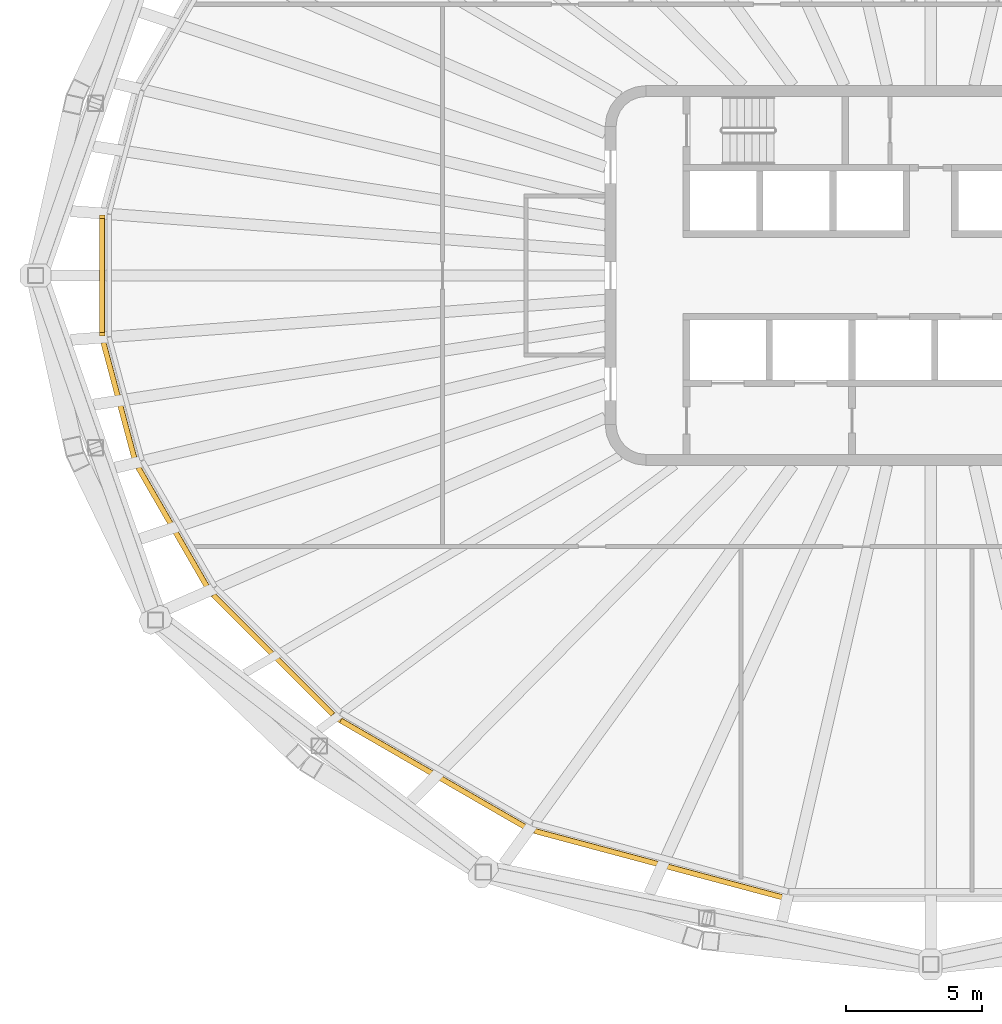
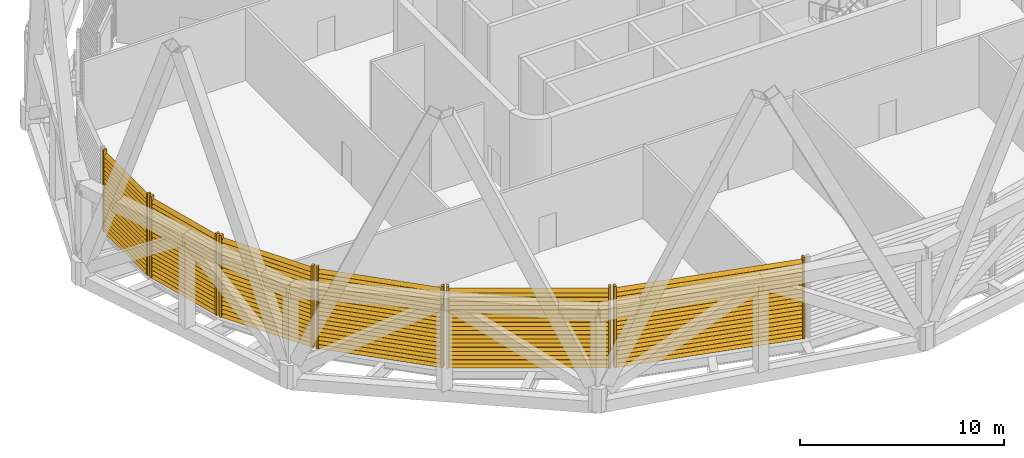
# One storey, part 11 of 17: 6 shading devices.
"""IFC4 building model written with IfcOpenShell, lengths in metres."""

from ifc_helpers import new_model, si_unit, direction, frame, origin, origin_2d, place, context, subcontext, project, spatial, rectangle, extrude, material, type_object, element, save


model = new_model("IFC4")

# Units and contexts
model_context = context("Model", 3, precision=1e-05, world=origin(), true_north=direction((0.0, 1.0)))
body_context = subcontext(model_context, "Body", "Model", "MODEL_VIEW")
ifc_project = project(units=[si_unit("LENGTHUNIT", "METRE"), si_unit("AREAUNIT", "SQUARE_METRE"), si_unit("VOLUMEUNIT", "CUBIC_METRE"), si_unit("PLANEANGLEUNIT", "RADIAN"), si_unit("MASSUNIT", "GRAM", prefix="KILO")], contexts=[model_context])

# Site, building, storey
site_placement = place(None, origin())
site = spatial("IfcSite", under=ifc_project, at=site_placement, CompositionType="ELEMENT")
building_placement = place(site_placement, origin())
building = spatial("IfcBuilding", under=site, at=building_placement, Name="Sahrelin Media Tower", CompositionType="ELEMENT")
storey_placement = place(building_placement, frame((0.0, 0.0, 249.60009765625)))
storey = spatial("IfcBuildingStorey", under=building, at=storey_placement, Name="L54", CompositionType="ELEMENT", Elevation=249.60009765625)

# Shading devices
ifc_material = material(Name="Champagne anodised aluminium 6063-T6", Category="aluminium")
shading_device_type = type_object("IfcShadingDeviceType", Name="Sand-rejection louvre band", PredefinedType="USERDEFINED", material=ifc_material)
shading_device_1_placement = place(storey_placement, frame((-30.442626953125, 0.0, 0.0), z_axis=(0.0, 0.0, 1.0), x_axis=(0.0, 1.0, 0.0)))
element("IfcShadingDevice", 1, at=shading_device_1_placement, inside=storey, type_object=shading_device_type, Name="L54:LOUVRE:L54-12", ObjectType="LOUVRE", PredefinedType="USERDEFINED", context=body_context, shape_type="SweptSolid", body=[
    extrude(rectangle(XDim=0.1201171875, YDim=0.199951171875, at=origin_2d()), frame((2.16943359375, 0.10009765625, 0.050048828125), z_axis=(0.0, 0.0, 1.0), x_axis=(1.0, 0.0, 0.0)), (0.0, 0.0, 1.0), 4.8984375),
    extrude(rectangle(XDim=0.1201171875, YDim=0.199951171875, at=origin_2d()), frame((-2.16943359375, 0.10009765625, 0.050048828125), z_axis=(0.0, 0.0, 1.0), x_axis=(1.0, 0.0, 0.0)), (0.0, 0.0, 1.0), 4.8984375),
    extrude(rectangle(XDim=0.25, YDim=0.02001953125, at=origin_2d()), frame((2.109375, 0.10009765625, 0.14990234375), z_axis=(-1.0, 0.0, 0.0), x_axis=(0.0, -0.766044443119, 0.642787609687)), (0.0, 0.0, 1.0), 4.21875),
    extrude(rectangle(XDim=0.25, YDim=0.02001953125, at=origin_2d()), frame((2.109375, 0.10009765625, 0.39990234375), z_axis=(-1.0, 0.0, 0.0), x_axis=(0.0, -0.766044443119, 0.642787609687)), (0.0, 0.0, 1.0), 4.21875),
    extrude(rectangle(XDim=0.25, YDim=0.02001953125, at=origin_2d()), frame((2.109375, 0.10009765625, 0.64990234375), z_axis=(-1.0, 0.0, 0.0), x_axis=(0.0, -0.766044443119, 0.642787609687)), (0.0, 0.0, 1.0), 4.21875),
    extrude(rectangle(XDim=0.25, YDim=0.02001953125, at=origin_2d()), frame((2.109375, 0.10009765625, 0.89990234375), z_axis=(-1.0, 0.0, 0.0), x_axis=(0.0, -0.766044443119, 0.642787609687)), (0.0, 0.0, 1.0), 4.21875),
    extrude(rectangle(XDim=0.25, YDim=0.02001953125, at=origin_2d()), frame((2.109375, 0.10009765625, 1.14990234375), z_axis=(-1.0, 0.0, 0.0), x_axis=(0.0, -0.766044443119, 0.642787609687)), (0.0, 0.0, 1.0), 4.21875),
    extrude(rectangle(XDim=0.25, YDim=0.02001953125, at=origin_2d()), frame((2.109375, 0.10009765625, 1.39990234375), z_axis=(-1.0, 0.0, 0.0), x_axis=(0.0, -0.766044443119, 0.642787609687)), (0.0, 0.0, 1.0), 4.21875),
    extrude(rectangle(XDim=0.25, YDim=0.02001953125, at=origin_2d()), frame((2.109375, 0.10009765625, 1.64990234375), z_axis=(-1.0, 0.0, 0.0), x_axis=(0.0, -0.766044443119, 0.642787609687)), (0.0, 0.0, 1.0), 4.21875),
    extrude(rectangle(XDim=0.25, YDim=0.02001953125, at=origin_2d()), frame((2.109375, 0.10009765625, 1.89990234375), z_axis=(-1.0, 0.0, 0.0), x_axis=(0.0, -0.766044443119, 0.642787609687)), (0.0, 0.0, 1.0), 4.21875),
    extrude(rectangle(XDim=0.25, YDim=0.02001953125, at=origin_2d()), frame((2.109375, 0.10009765625, 2.14990234375), z_axis=(-1.0, 0.0, 0.0), x_axis=(0.0, -0.766044443119, 0.642787609687)), (0.0, 0.0, 1.0), 4.21875),
    extrude(rectangle(XDim=0.25, YDim=0.02001953125, at=origin_2d()), frame((2.109375, 0.10009765625, 2.39990234375), z_axis=(-1.0, 0.0, 0.0), x_axis=(0.0, -0.766044443119, 0.642787609687)), (0.0, 0.0, 1.0), 4.21875),
    extrude(rectangle(XDim=0.25, YDim=0.02001953125, at=origin_2d()), frame((2.109375, 0.10009765625, 2.64990234375), z_axis=(-1.0, 0.0, 0.0), x_axis=(0.0, -0.766044443119, 0.642787609687)), (0.0, 0.0, 1.0), 4.21875),
    extrude(rectangle(XDim=0.25, YDim=0.02001953125, at=origin_2d()), frame((2.109375, 0.10009765625, 2.89990234375), z_axis=(-1.0, 0.0, 0.0), x_axis=(0.0, -0.766044443119, 0.642787609687)), (0.0, 0.0, 1.0), 4.21875),
    extrude(rectangle(XDim=0.25, YDim=0.02001953125, at=origin_2d()), frame((2.109375, 0.10009765625, 3.14990234375), z_axis=(-1.0, 0.0, 0.0), x_axis=(0.0, -0.766044443119, 0.642787609687)), (0.0, 0.0, 1.0), 4.21875),
    extrude(rectangle(XDim=0.25, YDim=0.02001953125, at=origin_2d()), frame((2.109375, 0.10009765625, 3.39990234375), z_axis=(-1.0, 0.0, 0.0), x_axis=(0.0, -0.766044443119, 0.642787609687)), (0.0, 0.0, 1.0), 4.21875),
    extrude(rectangle(XDim=0.25, YDim=0.02001953125, at=origin_2d()), frame((2.109375, 0.10009765625, 3.64990234375), z_axis=(-1.0, 0.0, 0.0), x_axis=(0.0, -0.766044443119, 0.642787609687)), (0.0, 0.0, 1.0), 4.21875),
    extrude(rectangle(XDim=0.25, YDim=0.02001953125, at=origin_2d()), frame((2.109375, 0.10009765625, 3.89990234375), z_axis=(-1.0, 0.0, 0.0), x_axis=(0.0, -0.766044443119, 0.642787609687)), (0.0, 0.0, 1.0), 4.21875),
    extrude(rectangle(XDim=0.25, YDim=0.02001953125, at=origin_2d()), frame((2.109375, 0.10009765625, 4.14990234375), z_axis=(-1.0, 0.0, 0.0), x_axis=(0.0, -0.766044443119, 0.642787609687)), (0.0, 0.0, 1.0), 4.21875),
    extrude(rectangle(XDim=0.25, YDim=0.02001953125, at=origin_2d()), frame((2.109375, 0.10009765625, 4.39990234375), z_axis=(-1.0, 0.0, 0.0), x_axis=(0.0, -0.766044443119, 0.642787609687)), (0.0, 0.0, 1.0), 4.21875),
    extrude(rectangle(XDim=0.25, YDim=0.02001953125, at=origin_2d()), frame((2.109375, 0.10009765625, 4.64990234375), z_axis=(-1.0, 0.0, 0.0), x_axis=(0.0, -0.766044443119, 0.642787609687)), (0.0, 0.0, 1.0), 4.21875),
])
shading_device_2_placement = place(storey_placement, frame((-29.82568359375, -4.581787109375, 0.0), z_axis=(0.0, 0.0, 1.0), x_axis=(-0.258807731996, 0.965928857556, 0.0)))
element("IfcShadingDevice", 2, at=shading_device_2_placement, inside=storey, type_object=shading_device_type, Name="L54:LOUVRE:L54-13", ObjectType="LOUVRE", PredefinedType="USERDEFINED", context=body_context, shape_type="SweptSolid", body=[
    extrude(rectangle(XDim=0.1201171875, YDim=0.199951171875, at=origin_2d()), frame((2.2734375, 0.10009765625, 0.050048828125), z_axis=(0.0, 0.0, 1.0), x_axis=(1.0, 0.0, 0.0)), (0.0, 0.0, 1.0), 4.8984375),
    extrude(rectangle(XDim=0.1201171875, YDim=0.199951171875, at=origin_2d()), frame((-2.2734375, 0.10009765625, 0.050048828125), z_axis=(0.0, 0.0, 1.0), x_axis=(1.0, 0.0, 0.0)), (0.0, 0.0, 1.0), 4.8984375),
    extrude(rectangle(XDim=0.25, YDim=0.02001953125, at=origin_2d()), frame((2.21337890625, 0.10009765625, 0.14990234375), z_axis=(-1.0, 0.0, 0.0), x_axis=(0.0, -0.766044443119, 0.642787609687)), (0.0, 0.0, 1.0), 4.4267578125),
    extrude(rectangle(XDim=0.25, YDim=0.02001953125, at=origin_2d()), frame((2.21337890625, 0.10009765625, 0.39990234375), z_axis=(-1.0, 0.0, 0.0), x_axis=(0.0, -0.766044443119, 0.642787609687)), (0.0, 0.0, 1.0), 4.4267578125),
    extrude(rectangle(XDim=0.25, YDim=0.02001953125, at=origin_2d()), frame((2.21337890625, 0.10009765625, 0.64990234375), z_axis=(-1.0, 0.0, 0.0), x_axis=(0.0, -0.766044443119, 0.642787609687)), (0.0, 0.0, 1.0), 4.4267578125),
    extrude(rectangle(XDim=0.25, YDim=0.02001953125, at=origin_2d()), frame((2.21337890625, 0.10009765625, 0.89990234375), z_axis=(-1.0, 0.0, 0.0), x_axis=(0.0, -0.766044443119, 0.642787609687)), (0.0, 0.0, 1.0), 4.4267578125),
    extrude(rectangle(XDim=0.25, YDim=0.02001953125, at=origin_2d()), frame((2.21337890625, 0.10009765625, 1.14990234375), z_axis=(-1.0, 0.0, 0.0), x_axis=(0.0, -0.766044443119, 0.642787609687)), (0.0, 0.0, 1.0), 4.4267578125),
    extrude(rectangle(XDim=0.25, YDim=0.02001953125, at=origin_2d()), frame((2.21337890625, 0.10009765625, 1.39990234375), z_axis=(-1.0, 0.0, 0.0), x_axis=(0.0, -0.766044443119, 0.642787609687)), (0.0, 0.0, 1.0), 4.4267578125),
    extrude(rectangle(XDim=0.25, YDim=0.02001953125, at=origin_2d()), frame((2.21337890625, 0.10009765625, 1.64990234375), z_axis=(-1.0, 0.0, 0.0), x_axis=(0.0, -0.766044443119, 0.642787609687)), (0.0, 0.0, 1.0), 4.4267578125),
    extrude(rectangle(XDim=0.25, YDim=0.02001953125, at=origin_2d()), frame((2.21337890625, 0.10009765625, 1.89990234375), z_axis=(-1.0, 0.0, 0.0), x_axis=(0.0, -0.766044443119, 0.642787609687)), (0.0, 0.0, 1.0), 4.4267578125),
    extrude(rectangle(XDim=0.25, YDim=0.02001953125, at=origin_2d()), frame((2.21337890625, 0.10009765625, 2.14990234375), z_axis=(-1.0, 0.0, 0.0), x_axis=(0.0, -0.766044443119, 0.642787609687)), (0.0, 0.0, 1.0), 4.4267578125),
    extrude(rectangle(XDim=0.25, YDim=0.02001953125, at=origin_2d()), frame((2.21337890625, 0.10009765625, 2.39990234375), z_axis=(-1.0, 0.0, 0.0), x_axis=(0.0, -0.766044443119, 0.642787609687)), (0.0, 0.0, 1.0), 4.4267578125),
    extrude(rectangle(XDim=0.25, YDim=0.02001953125, at=origin_2d()), frame((2.21337890625, 0.10009765625, 2.64990234375), z_axis=(-1.0, 0.0, 0.0), x_axis=(0.0, -0.766044443119, 0.642787609687)), (0.0, 0.0, 1.0), 4.4267578125),
    extrude(rectangle(XDim=0.25, YDim=0.02001953125, at=origin_2d()), frame((2.21337890625, 0.10009765625, 2.89990234375), z_axis=(-1.0, 0.0, 0.0), x_axis=(0.0, -0.766044443119, 0.642787609687)), (0.0, 0.0, 1.0), 4.4267578125),
    extrude(rectangle(XDim=0.25, YDim=0.02001953125, at=origin_2d()), frame((2.21337890625, 0.10009765625, 3.14990234375), z_axis=(-1.0, 0.0, 0.0), x_axis=(0.0, -0.766044443119, 0.642787609687)), (0.0, 0.0, 1.0), 4.4267578125),
    extrude(rectangle(XDim=0.25, YDim=0.02001953125, at=origin_2d()), frame((2.21337890625, 0.10009765625, 3.39990234375), z_axis=(-1.0, 0.0, 0.0), x_axis=(0.0, -0.766044443119, 0.642787609687)), (0.0, 0.0, 1.0), 4.4267578125),
    extrude(rectangle(XDim=0.25, YDim=0.02001953125, at=origin_2d()), frame((2.21337890625, 0.10009765625, 3.64990234375), z_axis=(-1.0, 0.0, 0.0), x_axis=(0.0, -0.766044443119, 0.642787609687)), (0.0, 0.0, 1.0), 4.4267578125),
    extrude(rectangle(XDim=0.25, YDim=0.02001953125, at=origin_2d()), frame((2.21337890625, 0.10009765625, 3.89990234375), z_axis=(-1.0, 0.0, 0.0), x_axis=(0.0, -0.766044443119, 0.642787609687)), (0.0, 0.0, 1.0), 4.4267578125),
    extrude(rectangle(XDim=0.25, YDim=0.02001953125, at=origin_2d()), frame((2.21337890625, 0.10009765625, 4.14990234375), z_axis=(-1.0, 0.0, 0.0), x_axis=(0.0, -0.766044443119, 0.642787609687)), (0.0, 0.0, 1.0), 4.4267578125),
    extrude(rectangle(XDim=0.25, YDim=0.02001953125, at=origin_2d()), frame((2.21337890625, 0.10009765625, 4.39990234375), z_axis=(-1.0, 0.0, 0.0), x_axis=(0.0, -0.766044443119, 0.642787609687)), (0.0, 0.0, 1.0), 4.4267578125),
    extrude(rectangle(XDim=0.25, YDim=0.02001953125, at=origin_2d()), frame((2.21337890625, 0.10009765625, 4.64990234375), z_axis=(-1.0, 0.0, 0.0), x_axis=(0.0, -0.766044443119, 0.642787609687)), (0.0, 0.0, 1.0), 4.4267578125),
])
shading_device_3_placement = place(storey_placement, frame((-27.853271484375, -9.231689453125, 0.0), z_axis=(0.0, 0.0, 1.0), x_axis=(-0.500011000363, 0.866019052629, 0.0)))
element("IfcShadingDevice", 3, at=shading_device_3_placement, inside=storey, type_object=shading_device_type, Name="L54:LOUVRE:L54-14", ObjectType="LOUVRE", PredefinedType="USERDEFINED", context=body_context, shape_type="SweptSolid", body=[
    extrude(rectangle(XDim=0.1201171875, YDim=0.199951171875, at=origin_2d()), frame((2.60107421875, 0.10009765625, 0.050048828125), z_axis=(0.0, 0.0, 1.0), x_axis=(1.0, 0.0, 0.0)), (0.0, 0.0, 1.0), 4.8984375),
    extrude(rectangle(XDim=0.1201171875, YDim=0.199951171875, at=origin_2d()), frame((-2.60107421875, 0.10009765625, 0.050048828125), z_axis=(0.0, 0.0, 1.0), x_axis=(1.0, 0.0, 0.0)), (0.0, 0.0, 1.0), 4.8984375),
    extrude(rectangle(XDim=0.25, YDim=0.02001953125, at=origin_2d()), frame((2.541015625, 0.10009765625, 0.14990234375), z_axis=(-1.0, 0.0, 0.0), x_axis=(0.0, -0.766044443119, 0.642787609687)), (0.0, 0.0, 1.0), 5.08203125),
    extrude(rectangle(XDim=0.25, YDim=0.02001953125, at=origin_2d()), frame((2.541015625, 0.10009765625, 0.39990234375), z_axis=(-1.0, 0.0, 0.0), x_axis=(0.0, -0.766044443119, 0.642787609687)), (0.0, 0.0, 1.0), 5.08203125),
    extrude(rectangle(XDim=0.25, YDim=0.02001953125, at=origin_2d()), frame((2.541015625, 0.10009765625, 0.64990234375), z_axis=(-1.0, 0.0, 0.0), x_axis=(0.0, -0.766044443119, 0.642787609687)), (0.0, 0.0, 1.0), 5.08203125),
    extrude(rectangle(XDim=0.25, YDim=0.02001953125, at=origin_2d()), frame((2.541015625, 0.10009765625, 0.89990234375), z_axis=(-1.0, 0.0, 0.0), x_axis=(0.0, -0.766044443119, 0.642787609687)), (0.0, 0.0, 1.0), 5.08203125),
    extrude(rectangle(XDim=0.25, YDim=0.02001953125, at=origin_2d()), frame((2.541015625, 0.10009765625, 1.14990234375), z_axis=(-1.0, 0.0, 0.0), x_axis=(0.0, -0.766044443119, 0.642787609687)), (0.0, 0.0, 1.0), 5.08203125),
    extrude(rectangle(XDim=0.25, YDim=0.02001953125, at=origin_2d()), frame((2.541015625, 0.10009765625, 1.39990234375), z_axis=(-1.0, 0.0, 0.0), x_axis=(0.0, -0.766044443119, 0.642787609687)), (0.0, 0.0, 1.0), 5.08203125),
    extrude(rectangle(XDim=0.25, YDim=0.02001953125, at=origin_2d()), frame((2.541015625, 0.10009765625, 1.64990234375), z_axis=(-1.0, 0.0, 0.0), x_axis=(0.0, -0.766044443119, 0.642787609687)), (0.0, 0.0, 1.0), 5.08203125),
    extrude(rectangle(XDim=0.25, YDim=0.02001953125, at=origin_2d()), frame((2.541015625, 0.10009765625, 1.89990234375), z_axis=(-1.0, 0.0, 0.0), x_axis=(0.0, -0.766044443119, 0.642787609687)), (0.0, 0.0, 1.0), 5.08203125),
    extrude(rectangle(XDim=0.25, YDim=0.02001953125, at=origin_2d()), frame((2.541015625, 0.10009765625, 2.14990234375), z_axis=(-1.0, 0.0, 0.0), x_axis=(0.0, -0.766044443119, 0.642787609687)), (0.0, 0.0, 1.0), 5.08203125),
    extrude(rectangle(XDim=0.25, YDim=0.02001953125, at=origin_2d()), frame((2.541015625, 0.10009765625, 2.39990234375), z_axis=(-1.0, 0.0, 0.0), x_axis=(0.0, -0.766044443119, 0.642787609687)), (0.0, 0.0, 1.0), 5.08203125),
    extrude(rectangle(XDim=0.25, YDim=0.02001953125, at=origin_2d()), frame((2.541015625, 0.10009765625, 2.64990234375), z_axis=(-1.0, 0.0, 0.0), x_axis=(0.0, -0.766044443119, 0.642787609687)), (0.0, 0.0, 1.0), 5.08203125),
    extrude(rectangle(XDim=0.25, YDim=0.02001953125, at=origin_2d()), frame((2.541015625, 0.10009765625, 2.89990234375), z_axis=(-1.0, 0.0, 0.0), x_axis=(0.0, -0.766044443119, 0.642787609687)), (0.0, 0.0, 1.0), 5.08203125),
    extrude(rectangle(XDim=0.25, YDim=0.02001953125, at=origin_2d()), frame((2.541015625, 0.10009765625, 3.14990234375), z_axis=(-1.0, 0.0, 0.0), x_axis=(0.0, -0.766044443119, 0.642787609687)), (0.0, 0.0, 1.0), 5.08203125),
    extrude(rectangle(XDim=0.25, YDim=0.02001953125, at=origin_2d()), frame((2.541015625, 0.10009765625, 3.39990234375), z_axis=(-1.0, 0.0, 0.0), x_axis=(0.0, -0.766044443119, 0.642787609687)), (0.0, 0.0, 1.0), 5.08203125),
    extrude(rectangle(XDim=0.25, YDim=0.02001953125, at=origin_2d()), frame((2.541015625, 0.10009765625, 3.64990234375), z_axis=(-1.0, 0.0, 0.0), x_axis=(0.0, -0.766044443119, 0.642787609687)), (0.0, 0.0, 1.0), 5.08203125),
    extrude(rectangle(XDim=0.25, YDim=0.02001953125, at=origin_2d()), frame((2.541015625, 0.10009765625, 3.89990234375), z_axis=(-1.0, 0.0, 0.0), x_axis=(0.0, -0.766044443119, 0.642787609687)), (0.0, 0.0, 1.0), 5.08203125),
    extrude(rectangle(XDim=0.25, YDim=0.02001953125, at=origin_2d()), frame((2.541015625, 0.10009765625, 4.14990234375), z_axis=(-1.0, 0.0, 0.0), x_axis=(0.0, -0.766044443119, 0.642787609687)), (0.0, 0.0, 1.0), 5.08203125),
    extrude(rectangle(XDim=0.25, YDim=0.02001953125, at=origin_2d()), frame((2.541015625, 0.10009765625, 4.39990234375), z_axis=(-1.0, 0.0, 0.0), x_axis=(0.0, -0.766044443119, 0.642787609687)), (0.0, 0.0, 1.0), 5.08203125),
    extrude(rectangle(XDim=0.25, YDim=0.02001953125, at=origin_2d()), frame((2.541015625, 0.10009765625, 4.64990234375), z_axis=(-1.0, 0.0, 0.0), x_axis=(0.0, -0.766044443119, 0.642787609687)), (0.0, 0.0, 1.0), 5.08203125),
])
shading_device_4_placement = place(storey_placement, frame((-24.17041015625, -13.90673828125, 0.0), z_axis=(0.0, 0.0, 1.0), x_axis=(-0.707106781187, 0.707106781187, 0.0)))
element("IfcShadingDevice", 4, at=shading_device_4_placement, inside=storey, type_object=shading_device_type, Name="L54:LOUVRE:L54-15", ObjectType="LOUVRE", PredefinedType="USERDEFINED", context=body_context, shape_type="SweptSolid", body=[
    extrude(rectangle(XDim=0.1201171875, YDim=0.199951171875, at=origin_2d()), frame((3.18115234375, 0.10009765625, 0.050048828125), z_axis=(0.0, 0.0, 1.0), x_axis=(1.0, 0.0, 0.0)), (0.0, 0.0, 1.0), 4.8984375),
    extrude(rectangle(XDim=0.1201171875, YDim=0.199951171875, at=origin_2d()), frame((-3.18115234375, 0.10009765625, 0.050048828125), z_axis=(0.0, 0.0, 1.0), x_axis=(1.0, 0.0, 0.0)), (0.0, 0.0, 1.0), 4.8984375),
    extrude(rectangle(XDim=0.25, YDim=0.02001953125, at=origin_2d()), frame((3.12109375, 0.10009765625, 0.14990234375), z_axis=(-1.0, 0.0, 0.0), x_axis=(0.0, -0.766044443119, 0.642787609687)), (0.0, 0.0, 1.0), 6.2421875),
    extrude(rectangle(XDim=0.25, YDim=0.02001953125, at=origin_2d()), frame((3.12109375, 0.10009765625, 0.39990234375), z_axis=(-1.0, 0.0, 0.0), x_axis=(0.0, -0.766044443119, 0.642787609687)), (0.0, 0.0, 1.0), 6.2421875),
    extrude(rectangle(XDim=0.25, YDim=0.02001953125, at=origin_2d()), frame((3.12109375, 0.10009765625, 0.64990234375), z_axis=(-1.0, 0.0, 0.0), x_axis=(0.0, -0.766044443119, 0.642787609687)), (0.0, 0.0, 1.0), 6.2421875),
    extrude(rectangle(XDim=0.25, YDim=0.02001953125, at=origin_2d()), frame((3.12109375, 0.10009765625, 0.89990234375), z_axis=(-1.0, 0.0, 0.0), x_axis=(0.0, -0.766044443119, 0.642787609687)), (0.0, 0.0, 1.0), 6.2421875),
    extrude(rectangle(XDim=0.25, YDim=0.02001953125, at=origin_2d()), frame((3.12109375, 0.10009765625, 1.14990234375), z_axis=(-1.0, 0.0, 0.0), x_axis=(0.0, -0.766044443119, 0.642787609687)), (0.0, 0.0, 1.0), 6.2421875),
    extrude(rectangle(XDim=0.25, YDim=0.02001953125, at=origin_2d()), frame((3.12109375, 0.10009765625, 1.39990234375), z_axis=(-1.0, 0.0, 0.0), x_axis=(0.0, -0.766044443119, 0.642787609687)), (0.0, 0.0, 1.0), 6.2421875),
    extrude(rectangle(XDim=0.25, YDim=0.02001953125, at=origin_2d()), frame((3.12109375, 0.10009765625, 1.64990234375), z_axis=(-1.0, 0.0, 0.0), x_axis=(0.0, -0.766044443119, 0.642787609687)), (0.0, 0.0, 1.0), 6.2421875),
    extrude(rectangle(XDim=0.25, YDim=0.02001953125, at=origin_2d()), frame((3.12109375, 0.10009765625, 1.89990234375), z_axis=(-1.0, 0.0, 0.0), x_axis=(0.0, -0.766044443119, 0.642787609687)), (0.0, 0.0, 1.0), 6.2421875),
    extrude(rectangle(XDim=0.25, YDim=0.02001953125, at=origin_2d()), frame((3.12109375, 0.10009765625, 2.14990234375), z_axis=(-1.0, 0.0, 0.0), x_axis=(0.0, -0.766044443119, 0.642787609687)), (0.0, 0.0, 1.0), 6.2421875),
    extrude(rectangle(XDim=0.25, YDim=0.02001953125, at=origin_2d()), frame((3.12109375, 0.10009765625, 2.39990234375), z_axis=(-1.0, 0.0, 0.0), x_axis=(0.0, -0.766044443119, 0.642787609687)), (0.0, 0.0, 1.0), 6.2421875),
    extrude(rectangle(XDim=0.25, YDim=0.02001953125, at=origin_2d()), frame((3.12109375, 0.10009765625, 2.64990234375), z_axis=(-1.0, 0.0, 0.0), x_axis=(0.0, -0.766044443119, 0.642787609687)), (0.0, 0.0, 1.0), 6.2421875),
    extrude(rectangle(XDim=0.25, YDim=0.02001953125, at=origin_2d()), frame((3.12109375, 0.10009765625, 2.89990234375), z_axis=(-1.0, 0.0, 0.0), x_axis=(0.0, -0.766044443119, 0.642787609687)), (0.0, 0.0, 1.0), 6.2421875),
    extrude(rectangle(XDim=0.25, YDim=0.02001953125, at=origin_2d()), frame((3.12109375, 0.10009765625, 3.14990234375), z_axis=(-1.0, 0.0, 0.0), x_axis=(0.0, -0.766044443119, 0.642787609687)), (0.0, 0.0, 1.0), 6.2421875),
    extrude(rectangle(XDim=0.25, YDim=0.02001953125, at=origin_2d()), frame((3.12109375, 0.10009765625, 3.39990234375), z_axis=(-1.0, 0.0, 0.0), x_axis=(0.0, -0.766044443119, 0.642787609687)), (0.0, 0.0, 1.0), 6.2421875),
    extrude(rectangle(XDim=0.25, YDim=0.02001953125, at=origin_2d()), frame((3.12109375, 0.10009765625, 3.64990234375), z_axis=(-1.0, 0.0, 0.0), x_axis=(0.0, -0.766044443119, 0.642787609687)), (0.0, 0.0, 1.0), 6.2421875),
    extrude(rectangle(XDim=0.25, YDim=0.02001953125, at=origin_2d()), frame((3.12109375, 0.10009765625, 3.89990234375), z_axis=(-1.0, 0.0, 0.0), x_axis=(0.0, -0.766044443119, 0.642787609687)), (0.0, 0.0, 1.0), 6.2421875),
    extrude(rectangle(XDim=0.25, YDim=0.02001953125, at=origin_2d()), frame((3.12109375, 0.10009765625, 4.14990234375), z_axis=(-1.0, 0.0, 0.0), x_axis=(0.0, -0.766044443119, 0.642787609687)), (0.0, 0.0, 1.0), 6.2421875),
    extrude(rectangle(XDim=0.25, YDim=0.02001953125, at=origin_2d()), frame((3.12109375, 0.10009765625, 4.39990234375), z_axis=(-1.0, 0.0, 0.0), x_axis=(0.0, -0.766044443119, 0.642787609687)), (0.0, 0.0, 1.0), 6.2421875),
    extrude(rectangle(XDim=0.25, YDim=0.02001953125, at=origin_2d()), frame((3.12109375, 0.10009765625, 4.64990234375), z_axis=(-1.0, 0.0, 0.0), x_axis=(0.0, -0.766044443119, 0.642787609687)), (0.0, 0.0, 1.0), 6.2421875),
])
shading_device_5_placement = place(storey_placement, frame((-18.294189453125, -18.283203125, 0.0), z_axis=(0.0, 0.0, 1.0), x_axis=(-0.866019052629, 0.500011000363, 0.0)))
element("IfcShadingDevice", 5, at=shading_device_5_placement, inside=storey, type_object=shading_device_type, Name="L54:LOUVRE:L54-16", ObjectType="LOUVRE", PredefinedType="USERDEFINED", context=body_context, shape_type="SweptSolid", body=[
    extrude(rectangle(XDim=0.1201171875, YDim=0.199951171875, at=origin_2d()), frame((3.988037109375, 0.10009765625, 0.050048828125), z_axis=(0.0, 0.0, 1.0), x_axis=(1.0, 0.0, 0.0)), (0.0, 0.0, 1.0), 4.8984375),
    extrude(rectangle(XDim=0.1201171875, YDim=0.199951171875, at=origin_2d()), frame((-3.988037109375, 0.10009765625, 0.050048828125), z_axis=(0.0, 0.0, 1.0), x_axis=(1.0, 0.0, 0.0)), (0.0, 0.0, 1.0), 4.8984375),
    extrude(rectangle(XDim=0.25, YDim=0.02001953125, at=origin_2d()), frame((3.927978515625, 0.10009765625, 0.14990234375), z_axis=(-1.0, 0.0, 0.0), x_axis=(0.0, -0.766044443119, 0.642787609687)), (0.0, 0.0, 1.0), 7.85595703125),
    extrude(rectangle(XDim=0.25, YDim=0.02001953125, at=origin_2d()), frame((3.927978515625, 0.10009765625, 0.39990234375), z_axis=(-1.0, 0.0, 0.0), x_axis=(0.0, -0.766044443119, 0.642787609687)), (0.0, 0.0, 1.0), 7.85595703125),
    extrude(rectangle(XDim=0.25, YDim=0.02001953125, at=origin_2d()), frame((3.927978515625, 0.10009765625, 0.64990234375), z_axis=(-1.0, 0.0, 0.0), x_axis=(0.0, -0.766044443119, 0.642787609687)), (0.0, 0.0, 1.0), 7.85595703125),
    extrude(rectangle(XDim=0.25, YDim=0.02001953125, at=origin_2d()), frame((3.927978515625, 0.10009765625, 0.89990234375), z_axis=(-1.0, 0.0, 0.0), x_axis=(0.0, -0.766044443119, 0.642787609687)), (0.0, 0.0, 1.0), 7.85595703125),
    extrude(rectangle(XDim=0.25, YDim=0.02001953125, at=origin_2d()), frame((3.927978515625, 0.10009765625, 1.14990234375), z_axis=(-1.0, 0.0, 0.0), x_axis=(0.0, -0.766044443119, 0.642787609687)), (0.0, 0.0, 1.0), 7.85595703125),
    extrude(rectangle(XDim=0.25, YDim=0.02001953125, at=origin_2d()), frame((3.927978515625, 0.10009765625, 1.39990234375), z_axis=(-1.0, 0.0, 0.0), x_axis=(0.0, -0.766044443119, 0.642787609687)), (0.0, 0.0, 1.0), 7.85595703125),
    extrude(rectangle(XDim=0.25, YDim=0.02001953125, at=origin_2d()), frame((3.927978515625, 0.10009765625, 1.64990234375), z_axis=(-1.0, 0.0, 0.0), x_axis=(0.0, -0.766044443119, 0.642787609687)), (0.0, 0.0, 1.0), 7.85595703125),
    extrude(rectangle(XDim=0.25, YDim=0.02001953125, at=origin_2d()), frame((3.927978515625, 0.10009765625, 1.89990234375), z_axis=(-1.0, 0.0, 0.0), x_axis=(0.0, -0.766044443119, 0.642787609687)), (0.0, 0.0, 1.0), 7.85595703125),
    extrude(rectangle(XDim=0.25, YDim=0.02001953125, at=origin_2d()), frame((3.927978515625, 0.10009765625, 2.14990234375), z_axis=(-1.0, 0.0, 0.0), x_axis=(0.0, -0.766044443119, 0.642787609687)), (0.0, 0.0, 1.0), 7.85595703125),
    extrude(rectangle(XDim=0.25, YDim=0.02001953125, at=origin_2d()), frame((3.927978515625, 0.10009765625, 2.39990234375), z_axis=(-1.0, 0.0, 0.0), x_axis=(0.0, -0.766044443119, 0.642787609687)), (0.0, 0.0, 1.0), 7.85595703125),
    extrude(rectangle(XDim=0.25, YDim=0.02001953125, at=origin_2d()), frame((3.927978515625, 0.10009765625, 2.64990234375), z_axis=(-1.0, 0.0, 0.0), x_axis=(0.0, -0.766044443119, 0.642787609687)), (0.0, 0.0, 1.0), 7.85595703125),
    extrude(rectangle(XDim=0.25, YDim=0.02001953125, at=origin_2d()), frame((3.927978515625, 0.10009765625, 2.89990234375), z_axis=(-1.0, 0.0, 0.0), x_axis=(0.0, -0.766044443119, 0.642787609687)), (0.0, 0.0, 1.0), 7.85595703125),
    extrude(rectangle(XDim=0.25, YDim=0.02001953125, at=origin_2d()), frame((3.927978515625, 0.10009765625, 3.14990234375), z_axis=(-1.0, 0.0, 0.0), x_axis=(0.0, -0.766044443119, 0.642787609687)), (0.0, 0.0, 1.0), 7.85595703125),
    extrude(rectangle(XDim=0.25, YDim=0.02001953125, at=origin_2d()), frame((3.927978515625, 0.10009765625, 3.39990234375), z_axis=(-1.0, 0.0, 0.0), x_axis=(0.0, -0.766044443119, 0.642787609687)), (0.0, 0.0, 1.0), 7.85595703125),
    extrude(rectangle(XDim=0.25, YDim=0.02001953125, at=origin_2d()), frame((3.927978515625, 0.10009765625, 3.64990234375), z_axis=(-1.0, 0.0, 0.0), x_axis=(0.0, -0.766044443119, 0.642787609687)), (0.0, 0.0, 1.0), 7.85595703125),
    extrude(rectangle(XDim=0.25, YDim=0.02001953125, at=origin_2d()), frame((3.927978515625, 0.10009765625, 3.89990234375), z_axis=(-1.0, 0.0, 0.0), x_axis=(0.0, -0.766044443119, 0.642787609687)), (0.0, 0.0, 1.0), 7.85595703125),
    extrude(rectangle(XDim=0.25, YDim=0.02001953125, at=origin_2d()), frame((3.927978515625, 0.10009765625, 4.14990234375), z_axis=(-1.0, 0.0, 0.0), x_axis=(0.0, -0.766044443119, 0.642787609687)), (0.0, 0.0, 1.0), 7.85595703125),
    extrude(rectangle(XDim=0.25, YDim=0.02001953125, at=origin_2d()), frame((3.927978515625, 0.10009765625, 4.39990234375), z_axis=(-1.0, 0.0, 0.0), x_axis=(0.0, -0.766044443119, 0.642787609687)), (0.0, 0.0, 1.0), 7.85595703125),
    extrude(rectangle(XDim=0.25, YDim=0.02001953125, at=origin_2d()), frame((3.927978515625, 0.10009765625, 4.64990234375), z_axis=(-1.0, 0.0, 0.0), x_axis=(0.0, -0.766044443119, 0.642787609687)), (0.0, 0.0, 1.0), 7.85595703125),
])
shading_device_6_placement = place(storey_placement, frame((-10.005615234375, -21.60205078125, 0.0), z_axis=(0.0, 0.0, 1.0), x_axis=(-0.965928857556, 0.258807731996, 0.0)))
element("IfcShadingDevice", 6, at=shading_device_6_placement, inside=storey, type_object=shading_device_type, Name="L54:LOUVRE:L54-17", ObjectType="LOUVRE", PredefinedType="USERDEFINED", context=body_context, shape_type="SweptSolid", body=[
    extrude(rectangle(XDim=0.1201171875, YDim=0.199951171875, at=origin_2d()), frame((4.796630859375, 0.10009765625, 0.050048828125), z_axis=(0.0, 0.0, 1.0), x_axis=(1.0, 0.0, 0.0)), (0.0, 0.0, 1.0), 4.8984375),
    extrude(rectangle(XDim=0.1201171875, YDim=0.199951171875, at=origin_2d()), frame((-4.796630859375, 0.10009765625, 0.050048828125), z_axis=(0.0, 0.0, 1.0), x_axis=(1.0, 0.0, 0.0)), (0.0, 0.0, 1.0), 4.8984375),
    extrude(rectangle(XDim=0.25, YDim=0.02001953125, at=origin_2d()), frame((4.73681640625, 0.10009765625, 0.14990234375), z_axis=(-1.0, 0.0, 0.0), x_axis=(0.0, -0.766044443119, 0.642787609687)), (0.0, 0.0, 1.0), 9.4736328125),
    extrude(rectangle(XDim=0.25, YDim=0.02001953125, at=origin_2d()), frame((4.73681640625, 0.10009765625, 0.39990234375), z_axis=(-1.0, 0.0, 0.0), x_axis=(0.0, -0.766044443119, 0.642787609687)), (0.0, 0.0, 1.0), 9.4736328125),
    extrude(rectangle(XDim=0.25, YDim=0.02001953125, at=origin_2d()), frame((4.73681640625, 0.10009765625, 0.64990234375), z_axis=(-1.0, 0.0, 0.0), x_axis=(0.0, -0.766044443119, 0.642787609687)), (0.0, 0.0, 1.0), 9.4736328125),
    extrude(rectangle(XDim=0.25, YDim=0.02001953125, at=origin_2d()), frame((4.73681640625, 0.10009765625, 0.89990234375), z_axis=(-1.0, 0.0, 0.0), x_axis=(0.0, -0.766044443119, 0.642787609687)), (0.0, 0.0, 1.0), 9.4736328125),
    extrude(rectangle(XDim=0.25, YDim=0.02001953125, at=origin_2d()), frame((4.73681640625, 0.10009765625, 1.14990234375), z_axis=(-1.0, 0.0, 0.0), x_axis=(0.0, -0.766044443119, 0.642787609687)), (0.0, 0.0, 1.0), 9.4736328125),
    extrude(rectangle(XDim=0.25, YDim=0.02001953125, at=origin_2d()), frame((4.73681640625, 0.10009765625, 1.39990234375), z_axis=(-1.0, 0.0, 0.0), x_axis=(0.0, -0.766044443119, 0.642787609687)), (0.0, 0.0, 1.0), 9.4736328125),
    extrude(rectangle(XDim=0.25, YDim=0.02001953125, at=origin_2d()), frame((4.73681640625, 0.10009765625, 1.64990234375), z_axis=(-1.0, 0.0, 0.0), x_axis=(0.0, -0.766044443119, 0.642787609687)), (0.0, 0.0, 1.0), 9.4736328125),
    extrude(rectangle(XDim=0.25, YDim=0.02001953125, at=origin_2d()), frame((4.73681640625, 0.10009765625, 1.89990234375), z_axis=(-1.0, 0.0, 0.0), x_axis=(0.0, -0.766044443119, 0.642787609687)), (0.0, 0.0, 1.0), 9.4736328125),
    extrude(rectangle(XDim=0.25, YDim=0.02001953125, at=origin_2d()), frame((4.73681640625, 0.10009765625, 2.14990234375), z_axis=(-1.0, 0.0, 0.0), x_axis=(0.0, -0.766044443119, 0.642787609687)), (0.0, 0.0, 1.0), 9.4736328125),
    extrude(rectangle(XDim=0.25, YDim=0.02001953125, at=origin_2d()), frame((4.73681640625, 0.10009765625, 2.39990234375), z_axis=(-1.0, 0.0, 0.0), x_axis=(0.0, -0.766044443119, 0.642787609687)), (0.0, 0.0, 1.0), 9.4736328125),
    extrude(rectangle(XDim=0.25, YDim=0.02001953125, at=origin_2d()), frame((4.73681640625, 0.10009765625, 2.64990234375), z_axis=(-1.0, 0.0, 0.0), x_axis=(0.0, -0.766044443119, 0.642787609687)), (0.0, 0.0, 1.0), 9.4736328125),
    extrude(rectangle(XDim=0.25, YDim=0.02001953125, at=origin_2d()), frame((4.73681640625, 0.10009765625, 2.89990234375), z_axis=(-1.0, 0.0, 0.0), x_axis=(0.0, -0.766044443119, 0.642787609687)), (0.0, 0.0, 1.0), 9.4736328125),
    extrude(rectangle(XDim=0.25, YDim=0.02001953125, at=origin_2d()), frame((4.73681640625, 0.10009765625, 3.14990234375), z_axis=(-1.0, 0.0, 0.0), x_axis=(0.0, -0.766044443119, 0.642787609687)), (0.0, 0.0, 1.0), 9.4736328125),
    extrude(rectangle(XDim=0.25, YDim=0.02001953125, at=origin_2d()), frame((4.73681640625, 0.10009765625, 3.39990234375), z_axis=(-1.0, 0.0, 0.0), x_axis=(0.0, -0.766044443119, 0.642787609687)), (0.0, 0.0, 1.0), 9.4736328125),
    extrude(rectangle(XDim=0.25, YDim=0.02001953125, at=origin_2d()), frame((4.73681640625, 0.10009765625, 3.64990234375), z_axis=(-1.0, 0.0, 0.0), x_axis=(0.0, -0.766044443119, 0.642787609687)), (0.0, 0.0, 1.0), 9.4736328125),
    extrude(rectangle(XDim=0.25, YDim=0.02001953125, at=origin_2d()), frame((4.73681640625, 0.10009765625, 3.89990234375), z_axis=(-1.0, 0.0, 0.0), x_axis=(0.0, -0.766044443119, 0.642787609687)), (0.0, 0.0, 1.0), 9.4736328125),
    extrude(rectangle(XDim=0.25, YDim=0.02001953125, at=origin_2d()), frame((4.73681640625, 0.10009765625, 4.14990234375), z_axis=(-1.0, 0.0, 0.0), x_axis=(0.0, -0.766044443119, 0.642787609687)), (0.0, 0.0, 1.0), 9.4736328125),
    extrude(rectangle(XDim=0.25, YDim=0.02001953125, at=origin_2d()), frame((4.73681640625, 0.10009765625, 4.39990234375), z_axis=(-1.0, 0.0, 0.0), x_axis=(0.0, -0.766044443119, 0.642787609687)), (0.0, 0.0, 1.0), 9.4736328125),
    extrude(rectangle(XDim=0.25, YDim=0.02001953125, at=origin_2d()), frame((4.73681640625, 0.10009765625, 4.64990234375), z_axis=(-1.0, 0.0, 0.0), x_axis=(0.0, -0.766044443119, 0.642787609687)), (0.0, 0.0, 1.0), 9.4736328125),
])

save(model, "model.ifc")
